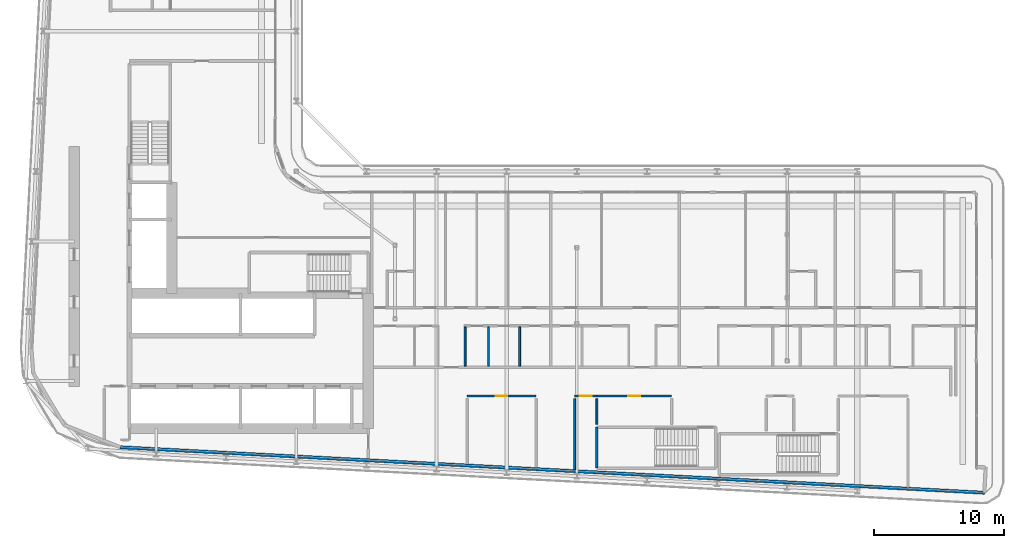
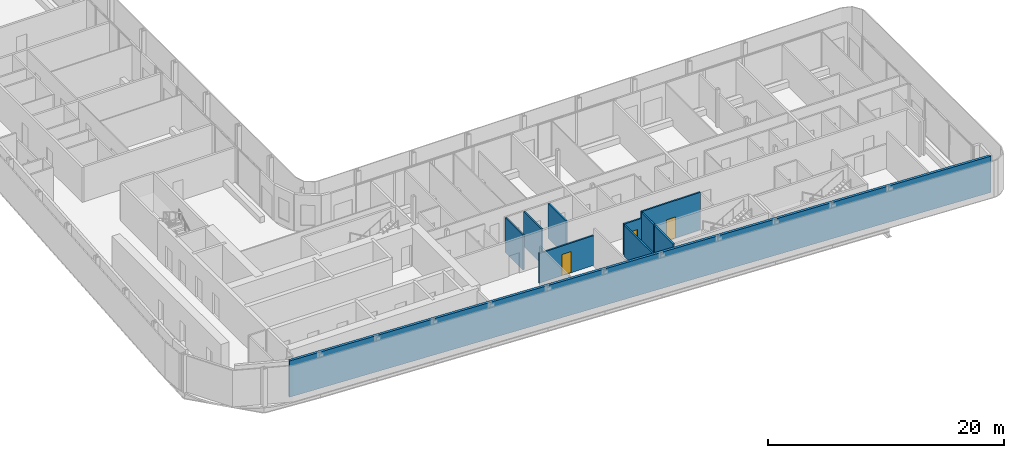
# One storey, part 17 of 30: 10 walls, 3 doors, 3 openings.
"""IFC4 building model written with IfcOpenShell, lengths in metres."""

from ifc_helpers import new_model, si_unit, direction, frame, frame_2d, origin, place, context, subcontext, project, spatial, rectangle, extrude, source, transform, mapped, material, layer, layer_set, type_object, element, fill, save


model = new_model("IFC4")

# Units and contexts
model_context = context("Model", 3, precision=1e-05, world=origin(), true_north=direction((0.0, 1.0)))
body_context = subcontext(model_context, "Body", "Model", "MODEL_VIEW")
ifc_project = project(units=[si_unit("LENGTHUNIT", "METRE"), si_unit("AREAUNIT", "SQUARE_METRE"), si_unit("VOLUMEUNIT", "CUBIC_METRE"), si_unit("PLANEANGLEUNIT", "RADIAN"), si_unit("MASSUNIT", "GRAM", prefix="KILO")], contexts=[model_context])

# Site, building, storey
site_placement = place(None, origin())
site = spatial("IfcSite", under=ifc_project, at=site_placement, CompositionType="ELEMENT")
building_placement = place(site_placement, origin())
building = spatial("IfcBuilding", under=site, at=building_placement, Name="Kheshtan School and Residences Tower", CompositionType="ELEMENT")
storey_placement = place(building_placement, frame((0.0, 0.0, 199.39990234375)))
storey = spatial("IfcBuildingStorey", under=building, at=storey_placement, Name="L47", CompositionType="ELEMENT", Elevation=199.39990234375)

# Wall
ifc_material_1 = material(Name="Concrete C40/50 with ceramic cladding and mineral wool insulation", Category="concrete")
ifc_layer_1 = layer(ifc_material_1, 0.25)
ifc_layer_set_1 = layer_set([ifc_layer_1], Name="External wall 250 ceramic clad")
wall_type_1 = type_object("IfcWallType", Name="External wall 250 ceramic clad", PredefinedType="SOLIDWALL", material=ifc_layer_set_1)
wall_1_placement = place(storey_placement, frame((100.5859375, 20.85009765625, 0.0), z_axis=(0.0, 0.0, 1.0), x_axis=(-0.99861746497, 0.052565755559, 0.0)))
element("IfcWall", 1, at=wall_1_placement, inside=storey, type_object=wall_type_1, Name="External wall L47 16", PredefinedType="SOLIDWALL", context=body_context, shape_type="SweptSolid", body=[
    extrude(rectangle(XDim=66.638916015625, YDim=0.25, at=frame_2d((33.3193359375, 0.0))), origin(), (0.0, 0.0, 1.0), 3.75),
])

# Wall, opening, door
ifc_material_2 = material(Name="Fire-board shaft wall system")
ifc_layer_2 = layer(ifc_material_2, 0.14990234375)
ifc_layer_set_2 = layer_set([ifc_layer_2], Name="Service room wall 150")
wall_type_2 = type_object("IfcWallType", Name="Service room wall 150", PredefinedType="PARTITIONING", material=ifc_layer_set_2)
wall_2_placement = place(storey_placement, frame((60.75, 28.300048828125, 0.0), z_axis=(0.0, 0.0, 1.0), x_axis=(1.0, 0.0, 0.0)))
wall_2 = element("IfcWall", 2, at=wall_2_placement, inside=storey, type_object=wall_type_2, Name="Service room wall", PredefinedType="PARTITIONING", context=body_context, shape_type="SweptSolid", body=[
    extrude(rectangle(XDim=5.323974609375, YDim=0.14990234375, at=frame_2d((2.662109375, 0.0))), origin(), (0.0, 0.0, 1.0), 3.072021484375),
])
opening_1_placement = place(wall_2_placement, frame((2.2119140625, 0.0, 0.0)))
opening_1 = element("IfcOpeningElement", 3, at=opening_1_placement, cuts=wall_2, Name="Opening SR90", PredefinedType="OPENING", context=body_context, shape_type="SweptSolid", body=[
    extrude(rectangle(XDim=0.89990234375, YDim=2.199951171875, at=frame_2d((0.449951171875, 1.10009765625))), frame((0.0, 0.0849609375, 0.0), z_axis=(0.0, -1.0, 0.0), x_axis=(1.0, 0.0, 0.0)), (0.0, 0.0, 1.0), 0.169921875),
])
ifc_material_3 = material(Name="Steel door leaf, galvanised", Category="steel")
door_type = type_object("IfcDoorType", Name="Service room door 900 steel 90 min", OperationType="SINGLE_SWING_LEFT", PredefinedType="DOOR", material=ifc_material_3)
shared_shape = source(origin(), body_context, "Body", "SweptSolid", [
    extrude(rectangle(XDim=0.89990234375, YDim=2.199951171875, at=frame_2d((0.449951171875, 1.10009765625))), frame((0.0, 0.02490234375, 0.0), z_axis=(0.0, -1.0, 0.0), x_axis=(1.0, 0.0, 0.0)), (0.0, 0.0, 1.0), 0.050048828125),
])
door_1_placement = place(opening_1_placement, origin())
door_1 = element("IfcDoor", 4, at=door_1_placement, inside=storey, type_object=door_type, Name="Service room door", OperationType="SINGLE_SWING_LEFT", OverallHeight=2.199951171875, OverallWidth=0.89990234375, PredefinedType="DOOR", context=body_context, shape_type="MappedRepresentation", body=[
    mapped(shared_shape, transform((0.0, 0.0, 0.0), x_axis=(1.0, 0.0, 0.0), y_axis=(0.0, 1.0, 0.0), z_axis=(0.0, 0.0, 1.0), scale=1.0)),
])
fill(opening_1, door_1)

wall_3_placement = place(storey_placement, frame((69.029052734375, 28.300048828125, 0.0), z_axis=(0.0, 0.0, 1.0), x_axis=(1.0, 0.0, 0.0)))
wall_3 = element("IfcWall", 5, at=wall_3_placement, inside=storey, type_object=wall_type_2, Name="Service room wall", PredefinedType="PARTITIONING", context=body_context, shape_type="SweptSolid", body=[
    extrude(rectangle(XDim=1.720947265625, YDim=0.14990234375, at=frame_2d((0.8603515625, 0.0))), origin(), (0.0, 0.0, 1.0), 3.217041015625),
])
opening_2_placement = place(wall_3_placement, frame((0.410888671875, 0.0, 0.0)))
opening_2 = element("IfcOpeningElement", 6, at=opening_2_placement, cuts=wall_3, Name="Opening SR90", PredefinedType="OPENING", context=body_context, shape_type="SweptSolid", body=[
    extrude(rectangle(XDim=0.89990234375, YDim=2.199951171875, at=frame_2d((0.449951171875, 1.10009765625))), frame((0.0, 0.0849609375, 0.0), z_axis=(0.0, -1.0, 0.0), x_axis=(1.0, 0.0, 0.0)), (0.0, 0.0, 1.0), 0.169921875),
])
door_2_placement = place(opening_2_placement, origin())
door_2 = element("IfcDoor", 7, at=door_2_placement, inside=storey, type_object=door_type, Name="Service room door", OperationType="SINGLE_SWING_LEFT", OverallHeight=2.199951171875, OverallWidth=0.89990234375, PredefinedType="DOOR", context=body_context, shape_type="MappedRepresentation", body=[
    mapped(shared_shape, transform((0.0, 0.0, 0.0), x_axis=(1.0, 0.0, 0.0), y_axis=(0.0, 1.0, 0.0), z_axis=(0.0, 0.0, 1.0), scale=1.0)),
])
fill(opening_2, door_2)

# Walls
wall_4_placement = place(storey_placement, frame((69.029052734375, 22.638916015625, 0.0), z_axis=(0.0, 0.0, 1.0), x_axis=(0.0, 1.0, 0.0)))
element("IfcWall", 8, at=wall_4_placement, inside=storey, type_object=wall_type_2, Name="Service room wall", PredefinedType="PARTITIONING", context=body_context, shape_type="SweptSolid", body=[
    extrude(rectangle(XDim=5.466064453125, YDim=0.14990234375, at=frame_2d((2.73291015625, 0.0))), origin(), (0.0, 0.0, 1.0), 3.217041015625),
])
wall_5_placement = place(storey_placement, frame((70.75, 26.1201171875, 0.0), z_axis=(0.0, 0.0, 1.0), x_axis=(0.0, 1.0, 0.0)))
element("IfcWall", 9, at=wall_5_placement, inside=storey, type_object=wall_type_2, Name="Service room wall", PredefinedType="PARTITIONING", context=body_context, shape_type="SweptSolid", body=[
    extrude(rectangle(XDim=1.98486328125, YDim=0.14990234375, at=frame_2d((0.992431640625, 0.0))), origin(), (0.0, 0.0, 1.0), 3.900146484375),
])

# Wall, opening, door
wall_6_placement = place(storey_placement, frame((70.75, 28.300048828125, 0.0), z_axis=(0.0, 0.0, 1.0), x_axis=(1.0, 0.0, 0.0)))
wall_6 = element("IfcWall", 10, at=wall_6_placement, inside=storey, type_object=wall_type_2, Name="Service room wall", PredefinedType="PARTITIONING", context=body_context, shape_type="SweptSolid", body=[
    extrude(rectangle(XDim=5.760009765625, YDim=0.14990234375, at=frame_2d((2.8798828125, 0.0))), origin(), (0.0, 0.0, 1.0), 3.900146484375),
])
opening_3_placement = place(wall_6_placement, frame((2.429931640625, 0.0, 0.0)))
opening_3 = element("IfcOpeningElement", 11, at=opening_3_placement, cuts=wall_6, Name="Opening SR90", PredefinedType="OPENING", context=body_context, shape_type="SweptSolid", body=[
    extrude(rectangle(XDim=0.89990234375, YDim=2.199951171875, at=frame_2d((0.449951171875, 1.10009765625))), frame((0.0, 0.0849609375, 0.0), z_axis=(0.0, -1.0, 0.0), x_axis=(1.0, 0.0, 0.0)), (0.0, 0.0, 1.0), 0.169921875),
])
door_3_placement = place(opening_3_placement, origin())
door_3 = element("IfcDoor", 12, at=door_3_placement, inside=storey, type_object=door_type, Name="Service room door", OperationType="SINGLE_SWING_LEFT", OverallHeight=2.199951171875, OverallWidth=0.89990234375, PredefinedType="DOOR", context=body_context, shape_type="MappedRepresentation", body=[
    mapped(shared_shape, transform((0.0, 0.0, 0.0), x_axis=(1.0, 0.0, 0.0), y_axis=(0.0, 1.0, 0.0), z_axis=(0.0, 0.0, 1.0), scale=1.0)),
])
fill(opening_3, door_3)

# Walls
ifc_material_4 = material(Name="Concrete C40/50", Category="concrete")
ifc_layer_3 = layer(ifc_material_4, 0.199951171875)
ifc_layer_set_3 = layer_set([ifc_layer_3], Name="Stair enclosure wall 200 Concrete C40/50")
wall_type_3 = type_object("IfcWallType", Name="Stair enclosure wall 200 Concrete C40/50", PredefinedType="SHEAR", material=ifc_layer_set_3)
wall_7_placement = place(storey_placement, frame((70.75, 22.75, 0.0), z_axis=(0.0, 0.0, 1.0), x_axis=(0.0, 1.0, 0.0)))
element("IfcWall", 13, at=wall_7_placement, inside=storey, type_object=wall_type_3, Name="Stair enclosure wall ST5", PredefinedType="SHEAR", context=body_context, shape_type="SweptSolid", body=[
    extrude(rectangle(XDim=3.14990234375, YDim=0.199951171875, at=frame_2d((1.574951171875, 0.0))), origin(), (0.0, 0.0, 1.0), 3.900146484375),
])
ifc_material_5 = material(Name="Moisture-resistant gypsum board on steel studs", Category="steel")
ifc_layer_4 = layer(ifc_material_5, 0.14990234375)
ifc_layer_set_4 = layer_set([ifc_layer_4], Name="Wet-room partition 150")
wall_type_4 = type_object("IfcWallType", Name="Wet-room partition 150", PredefinedType="PARTITIONING", material=ifc_layer_set_4)
for number, where, z_axis, x_axis, name in (
    (14, (60.60009765625, 30.60009765625, 0.0), (0.0, 0.0, 1.0), (0.0, 1.0, 0.0), "Partition L47-044"),
    (15, (62.39990234375, 30.60009765625, 0.0), (0.0, 0.0, 1.0), (0.0, 1.0, 0.0), "Partition L47-046"),
    (16, (64.800048828125, 30.60009765625, 0.0), (0.0, 0.0, 1.0), (0.0, 1.0, 0.0), "Partition L47-048"),
):
    element("IfcWall", number, at=place(storey_placement, frame(where, z_axis=z_axis, x_axis=x_axis)), inside=storey, type_object=wall_type_4, Name=name, PredefinedType="PARTITIONING", context=body_context, shape_type="SweptSolid", body=[
        extrude(rectangle(XDim=3.02490234375, YDim=0.14990234375, at=frame_2d((1.512451171875, 0.0))), origin(), (0.0, 0.0, 1.0), 3.60009765625),
    ])

save(model, "model.ifc")
